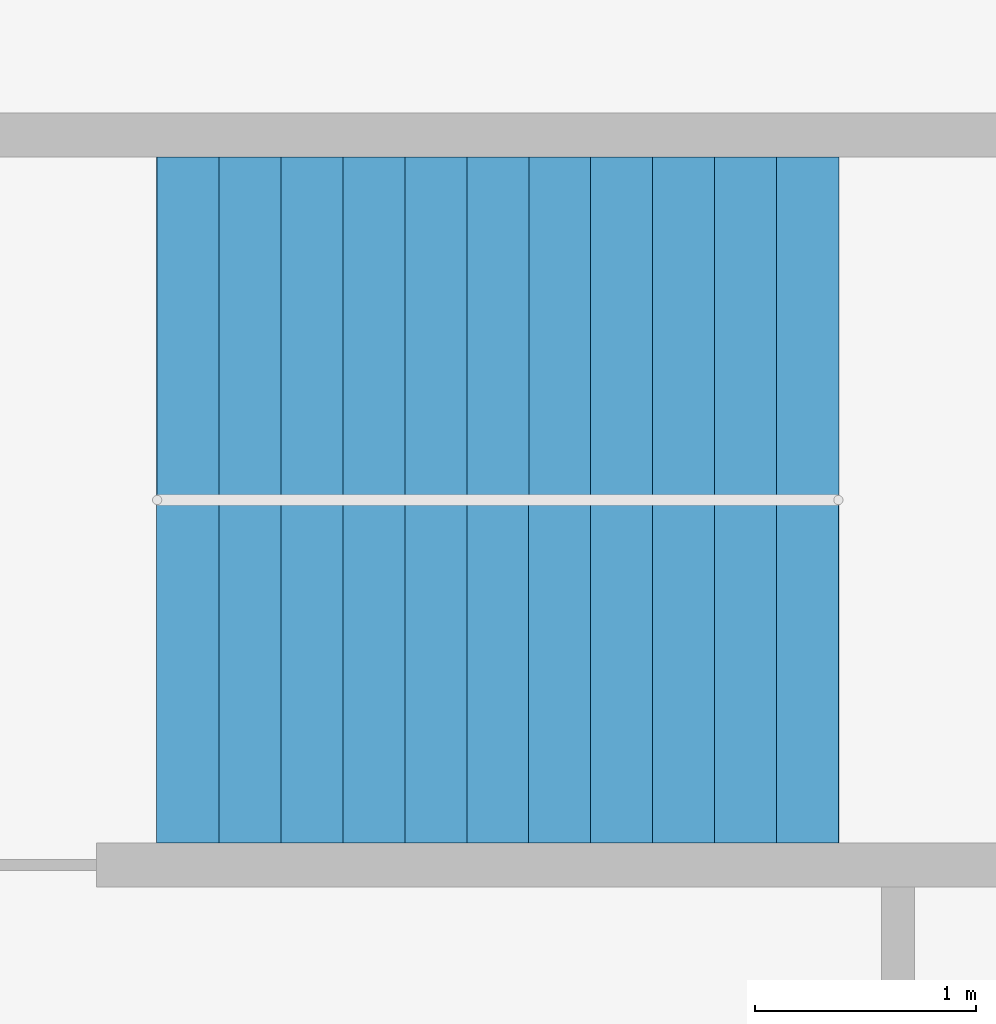
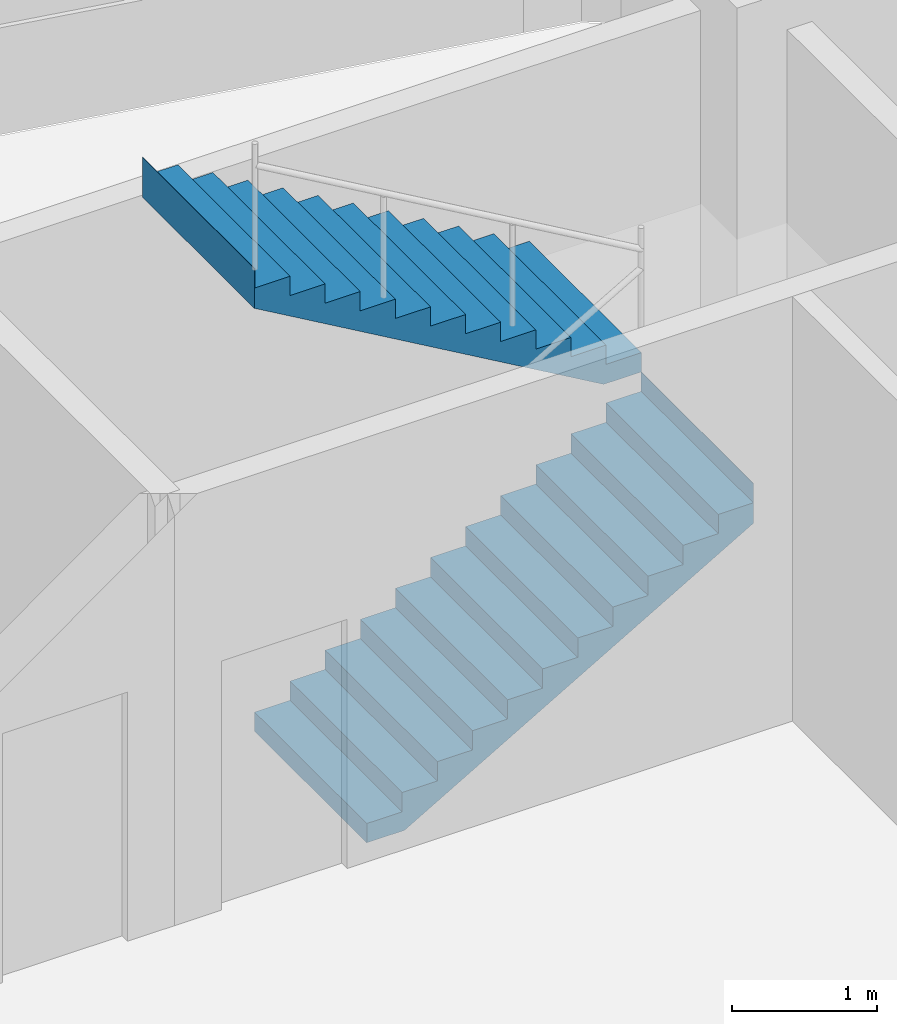
# One storey, part 8 of 10: 2 stair flights, 1 element without a shape of its own.
"""IFC4 building model written with IfcOpenShell, lengths in metres."""

from ifc_helpers import new_model, si_unit, direction, frame, origin, place, context, subcontext, project, spatial, polyline, outline, extrude, material, type_object, element, aggregate, save


model = new_model("IFC4")

# Units and contexts
model_context = context("Model", 3, precision=1e-05, world=origin(), true_north=direction((0.0, 1.0)))
body_context = subcontext(model_context, "Body", "Model", "MODEL_VIEW")
ifc_project = project(units=[si_unit("LENGTHUNIT", "METRE"), si_unit("AREAUNIT", "SQUARE_METRE"), si_unit("VOLUMEUNIT", "CUBIC_METRE"), si_unit("PLANEANGLEUNIT", "RADIAN"), si_unit("MASSUNIT", "GRAM", prefix="KILO")], contexts=[model_context])

# Site, building, storey
site_placement = place(None, origin())
site = spatial("IfcSite", under=ifc_project, at=site_placement, CompositionType="ELEMENT")
building_placement = place(site_placement, origin())
building = spatial("IfcBuilding", under=site, at=building_placement, Name="Qaws Garden Tower", CompositionType="ELEMENT")
storey_placement = place(building_placement, frame((0.0, 0.0, 51.0)))
storey = spatial("IfcBuildingStorey", under=building, at=storey_placement, Name="L12", CompositionType="ELEMENT", Elevation=51.0)

# Stair, stair flights
ifc_material_1 = material(Name="Concrete C40", Category="concrete")
stair_type = type_object("IfcStairType", Name="Exit stair 1350", PredefinedType="HALF_TURN_STAIR", material=ifc_material_1)
stair_placement = place(storey_placement, origin())
stair = element("IfcStair", 1, at=stair_placement, inside=storey, type_object=stair_type, Name="Stair 7", PredefinedType="HALF_TURN_STAIR")
ifc_material_2 = material(Name="Concrete C40", Category="concrete")
stair_flight_type = type_object("IfcStairFlightType", Name="Stair flight 1350", PredefinedType="STRAIGHT", material=ifc_material_2)
stair_flight_1_placement = place(storey_placement, frame((14.75, 67.375, 0.0), z_axis=(0.0, 0.0, 1.0), x_axis=(1.0, 0.0, 0.0)))
stair_flight_1 = element("IfcStairFlight", 2, at=stair_flight_1_placement, type_object=stair_flight_type, Name="ST7 flight 1", NumberOfRisers=12, NumberOfTreads=11, PredefinedType="STRAIGHT", RiserHeight=0.1625, TreadLength=0.28, context=body_context, shape_type="SweptSolid", body=[
    extrude(outline(polyline([(-0.0029296875, 0.0), (-0.0029296875, 0.16259765625), (0.0, 0.16259765625), (0.280029296875, 0.16259765625), (0.280029296875, 0.324951171875), (0.56005859375, 0.324951171875), (0.56005859375, 0.487548828125), (0.840087890625, 0.487548828125), (0.840087890625, 0.64990234375), (1.1201171875, 0.64990234375), (1.1201171875, 0.8125), (1.39990234375, 0.8125), (1.39990234375, 0.97509765625), (1.679931640625, 0.97509765625), (1.679931640625, 1.137451171875), (1.9599609375, 1.137451171875), (1.9599609375, 1.300048828125), (2.239990234375, 1.300048828125), (2.239990234375, 1.46240234375), (2.52001953125, 1.46240234375), (2.52001953125, 1.625), (2.800048828125, 1.625), (2.800048828125, 1.78759765625), (3.080078125, 1.78759765625), (3.080078125, 1.949951171875), (3.0830078125, 1.949951171875), (3.0830078125, 1.6142578125), (3.080078125, 1.6142578125), (0.298583984375, 0.0), (-0.0029296875, 0.0)])), frame((0.0, 0.77490234375, 0.0), z_axis=(0.0, -1.0, 0.0), x_axis=(1.0, 0.0, 0.0)), (0.0, 0.0, 1.0), 1.550048828125),
])
stair_flight_2_placement = place(storey_placement, frame((17.830078125, 68.925048828125, 1.949951171875), z_axis=(0.0, 0.0, 1.0), x_axis=(-1.0, 0.0, 0.0)))
stair_flight_2 = element("IfcStairFlight", 3, at=stair_flight_2_placement, type_object=stair_flight_type, Name="ST7 flight 2", NumberOfRisers=12, NumberOfTreads=11, PredefinedType="STRAIGHT", RiserHeight=0.1625, TreadLength=0.28, context=body_context, shape_type="SweptSolid", body=[
    extrude(outline(polyline([(-0.0029296875, 0.0), (-0.0029296875, 0.16259765625), (0.0, 0.16259765625), (0.280029296875, 0.16259765625), (0.280029296875, 0.324951171875), (0.56005859375, 0.324951171875), (0.56005859375, 0.487548828125), (0.840087890625, 0.487548828125), (0.840087890625, 0.64990234375), (1.1201171875, 0.64990234375), (1.1201171875, 0.8125), (1.39990234375, 0.8125), (1.39990234375, 0.97509765625), (1.679931640625, 0.97509765625), (1.679931640625, 1.137451171875), (1.9599609375, 1.137451171875), (1.9599609375, 1.300048828125), (2.239990234375, 1.300048828125), (2.239990234375, 1.46240234375), (2.52001953125, 1.46240234375), (2.52001953125, 1.625), (2.800048828125, 1.625), (2.800048828125, 1.78759765625), (3.080078125, 1.78759765625), (3.080078125, 1.949951171875), (3.0830078125, 1.949951171875), (3.0830078125, 1.6142578125), (3.080078125, 1.6142578125), (0.298583984375, 0.0), (-0.0029296875, 0.0)])), frame((0.0, 0.77490234375, 0.0), z_axis=(0.0, -1.0, 0.0), x_axis=(1.0, 0.0, 0.0)), (0.0, 0.0, 1.0), 1.550048828125),
])
aggregate(stair, [stair_flight_1, stair_flight_2])

save(model, "model.ifc")
